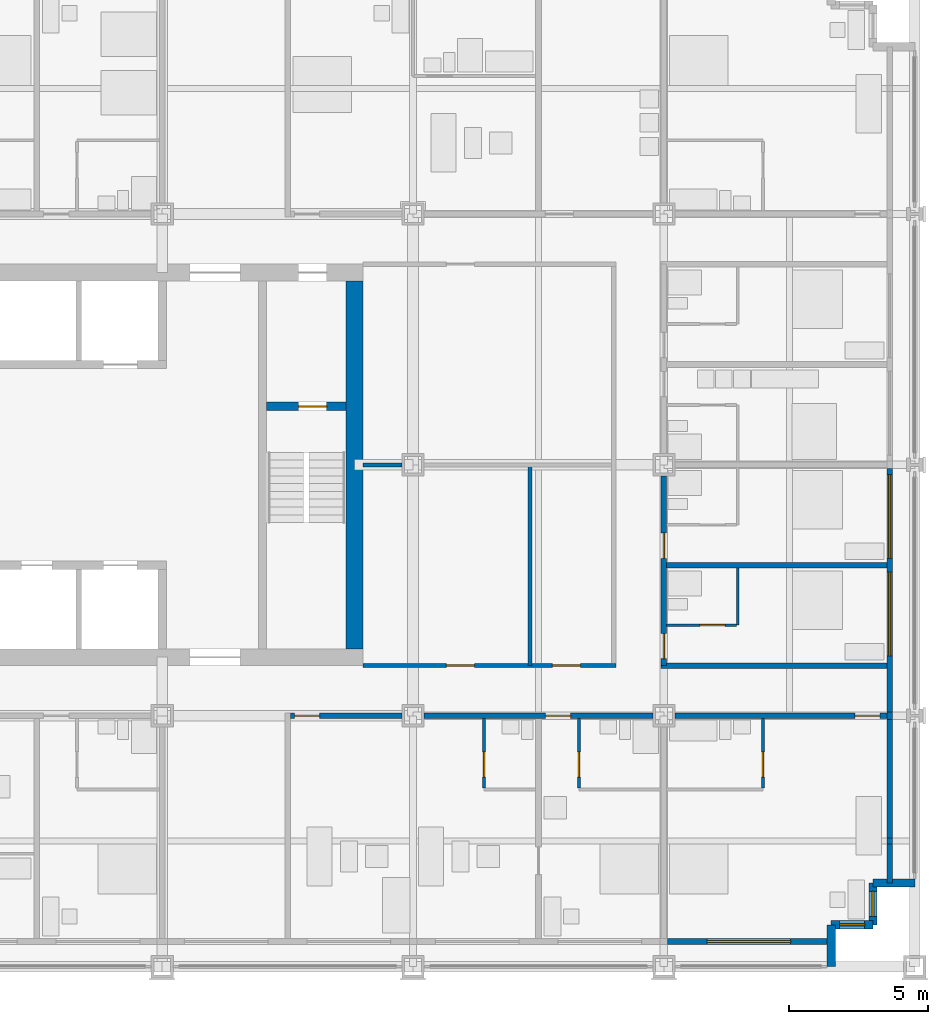
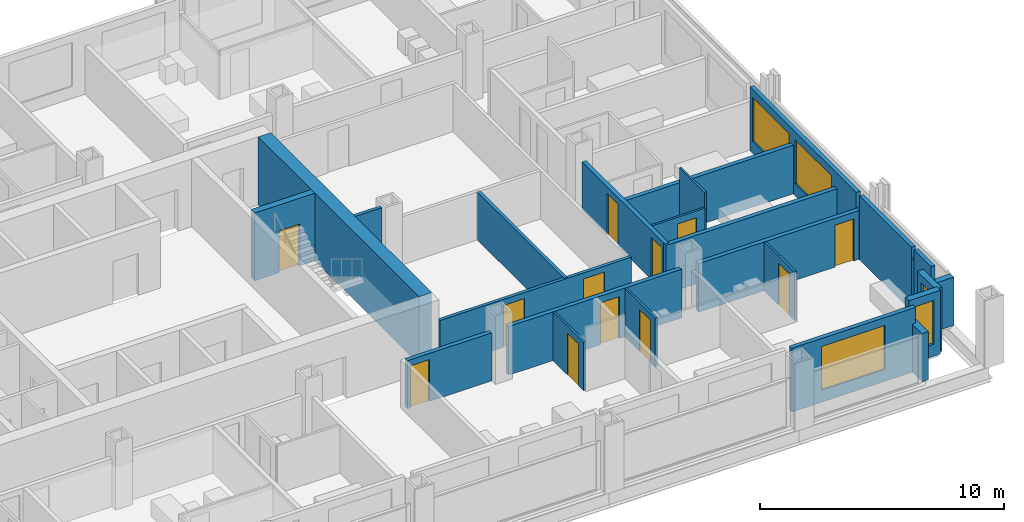
# One storey, part 13 of 18: 26 walls, 12 doors, 5 windows, 17 openings.
"""IFC4 building model written with IfcOpenShell, lengths in metres."""

from ifc_helpers import new_model, si_unit, direction, frame, frame_2d, origin, place, context, subcontext, project, spatial, rectangle, extrude, material, layer, layer_set, type_object, element, fill, save


model = new_model("IFC4")

# Units and contexts
model_context = context("Model", 3, precision=1e-05, world=origin(), true_north=direction((0.0, 1.0)))
body_context = subcontext(model_context, "Body", "Model", "MODEL_VIEW")
ifc_project = project(units=[si_unit("LENGTHUNIT", "METRE"), si_unit("AREAUNIT", "SQUARE_METRE"), si_unit("VOLUMEUNIT", "CUBIC_METRE"), si_unit("PLANEANGLEUNIT", "RADIAN"), si_unit("MASSUNIT", "GRAM", prefix="KILO")], contexts=[model_context])

# Site, building, storey
site_placement = place(None, origin())
site = spatial("IfcSite", under=ifc_project, at=site_placement, CompositionType="ELEMENT")
building_placement = place(site_placement, origin())
building = spatial("IfcBuilding", under=site, at=building_placement, Name="Loomwork Tower", CompositionType="ELEMENT")
storey_placement = place(building_placement, frame((0.0, 0.0, 51.800048828125)))
storey = spatial("IfcBuildingStorey", under=building, at=storey_placement, Name="L12", CompositionType="ELEMENT", Elevation=51.800048828125)

# Wall, opening, door
ifc_material_1 = material(Name="Concrete 14000 psi (97 MPa)", Category="concrete")
ifc_layer_1 = layer(ifc_material_1, 0.300048828125)
ifc_layer_set_1 = layer_set([ifc_layer_1], Name="Core shear wall 300")
wall_type_1 = type_object("IfcWallType", Name="Core shear wall 300", PredefinedType="SHEAR", material=ifc_layer_set_1)
wall_1_placement = place(storey_placement, frame((30.75, 20.10009765625, 0.0), z_axis=(0.0, 0.0, 1.0), x_axis=(1.0, 0.0, 0.0)))
wall_1 = element("IfcWall", 1, at=wall_1_placement, inside=storey, type_object=wall_type_1, Name="Stair B north wall L12", PredefinedType="SHEAR", context=body_context, shape_type="SweptSolid", body=[
    extrude(rectangle(XDim=2.85009765625, YDim=0.300048828125, at=frame_2d((1.425048828125, 0.0))), origin(), (0.0, 0.0, 1.0), 3.39990234375),
])
opening_1_placement = place(wall_1_placement, frame((1.14990234375, 0.0, 0.0)))
opening_1 = element("IfcOpeningElement", 2, at=opening_1_placement, cuts=wall_1, Name="Opening D4", PredefinedType="OPENING", context=body_context, shape_type="SweptSolid", body=[
    extrude(rectangle(XDim=1.0, YDim=2.10009765625, at=frame_2d((0.5, 1.050048828125))), frame((0.0, 0.159912109375, 0.0), z_axis=(0.0, -1.0, 0.0), x_axis=(1.0, 0.0, 0.0)), (0.0, 0.0, 1.0), 0.320068359375),
])
ifc_material_2 = material(Name="Hollow metal door and frame")
door_type_1 = type_object("IfcDoorType", Name="Stair door 1000", OperationType="SINGLE_SWING_RIGHT", PredefinedType="DOOR", material=ifc_material_2)
door_1_placement = place(opening_1_placement, frame((1.0, 0.0, 0.0), z_axis=(0.0, 0.0, 1.0), x_axis=(-1.0, 0.0, 0.0)))
door_1 = element("IfcDoor", 3, at=door_1_placement, inside=storey, type_object=door_type_1, Name="Stair B door", OperationType="SINGLE_SWING_LEFT", OverallHeight=2.10009765625, OverallWidth=1.0, PredefinedType="DOOR", context=body_context, shape_type="SweptSolid", body=[
    extrude(rectangle(XDim=1.0, YDim=2.10009765625, at=frame_2d((0.5, 1.050048828125))), frame((0.0, 0.02490234375, 0.0), z_axis=(0.0, -1.0, 0.0), x_axis=(1.0, 0.0, 0.0)), (0.0, 0.0, 1.0), 0.050048828125),
])
fill(opening_1, door_1)

# Wall
ifc_material_3 = material(Name="Concrete 14000 psi (97 MPa)", Category="concrete")
ifc_layer_2 = layer(ifc_material_3, 0.60009765625)
ifc_layer_set_2 = layer_set([ifc_layer_2], Name="Core shear wall 600")
wall_type_2 = type_object("IfcWallType", Name="Core shear wall 600", PredefinedType="SHEAR", material=ifc_layer_set_2)
wall_2_placement = place(storey_placement, frame((33.89990234375, 11.39990234375, 0.0), z_axis=(0.0, 0.0, 1.0), x_axis=(0.0, 1.0, 0.0)))
element("IfcWall", 4, at=wall_2_placement, inside=storey, type_object=wall_type_2, Name="Core wall east L12", PredefinedType="SHEAR", context=body_context, shape_type="SweptSolid", body=[
    extrude(rectangle(XDim=13.2001953125, YDim=0.60009765625, at=frame_2d((6.60009765625, 0.0))), origin(), (0.0, 0.0, 1.0), 3.39990234375),
])

# Wall, opening, door
ifc_material_4 = material(Name="Gypsum board on steel studs, one-hour", Category="steel")
ifc_layer_3 = layer(ifc_material_4, 0.199951171875)
ifc_layer_set_3 = layer_set([ifc_layer_3], Name="Corridor wall 200")
wall_type_3 = type_object("IfcWallType", Name="Corridor wall 200", PredefinedType="PARTITIONING", material=ifc_layer_set_3)
wall_3_placement = place(storey_placement, frame((31.60009765625, 9.0, 0.0), z_axis=(0.0, 0.0, 1.0), x_axis=(1.0, 0.0, 0.0)))
wall_3 = element("IfcWall", 5, at=wall_3_placement, inside=storey, type_object=wall_type_3, Name="South corridor wall 4", PredefinedType="PARTITIONING", context=body_context, shape_type="SweptSolid", body=[
    extrude(rectangle(XDim=4.0, YDim=0.199951171875, at=frame_2d((2.0, 0.0))), origin(), (0.0, 0.0, 1.0), 2.405029296875),
])
opening_2_placement = place(wall_3_placement, frame((0.14990234375, 0.0, 0.0)))
opening_2 = element("IfcOpeningElement", 6, at=opening_2_placement, cuts=wall_3, Name="Opening D1", PredefinedType="OPENING", context=body_context, shape_type="SweptSolid", body=[
    extrude(rectangle(XDim=0.89990234375, YDim=2.10009765625, at=frame_2d((0.449951171875, 1.050048828125))), frame((0.0, 0.10986328125, 0.0), z_axis=(0.0, -1.0, 0.0), x_axis=(1.0, 0.0, 0.0)), (0.0, 0.0, 1.0), 0.219970703125),
])
ifc_material_5 = material(Name="Hollow metal door and frame")
door_type_2 = type_object("IfcDoorType", Name="Guest room entry door 900", OperationType="SINGLE_SWING_LEFT", PredefinedType="DOOR", material=ifc_material_5)
door_2_placement = place(opening_2_placement, frame((0.89990234375, 0.0, 0.0), z_axis=(0.0, 0.0, 1.0), x_axis=(-1.0, 0.0, 0.0)))
door_2 = element("IfcDoor", 7, at=door_2_placement, inside=storey, type_object=door_type_2, Name="Guest room entry door L12 5", OperationType="SINGLE_SWING_RIGHT", OverallHeight=2.10009765625, OverallWidth=0.89990234375, PredefinedType="DOOR", context=body_context, shape_type="SweptSolid", body=[
    extrude(rectangle(XDim=0.89990234375, YDim=2.10009765625, at=frame_2d((0.449951171875, 1.050048828125))), frame((0.0, 0.02490234375, 0.0), z_axis=(0.0, -1.0, 0.0), x_axis=(1.0, 0.0, 0.0)), (0.0, 0.0, 1.0), 0.050048828125),
])
fill(opening_2, door_2)

wall_4_placement = place(storey_placement, frame((36.39990234375, 9.0, 0.0), z_axis=(0.0, 0.0, 1.0), x_axis=(1.0, 0.0, 0.0)))
wall_4 = element("IfcWall", 8, at=wall_4_placement, inside=storey, type_object=wall_type_3, Name="South corridor wall 5", PredefinedType="PARTITIONING", context=body_context, shape_type="SweptSolid", body=[
    extrude(rectangle(XDim=8.2001953125, YDim=0.199951171875, at=frame_2d((4.10009765625, 0.0))), origin(), (0.0, 0.0, 1.0), 2.43798828125),
])
opening_3_placement = place(wall_4_placement, frame((4.35009765625, 0.0, 0.0)))
opening_3 = element("IfcOpeningElement", 9, at=opening_3_placement, cuts=wall_4, Name="Opening D1", PredefinedType="OPENING", context=body_context, shape_type="SweptSolid", body=[
    extrude(rectangle(XDim=0.89990234375, YDim=2.10009765625, at=frame_2d((0.449951171875, 1.050048828125))), frame((0.0, 0.10986328125, 0.0), z_axis=(0.0, -1.0, 0.0), x_axis=(1.0, 0.0, 0.0)), (0.0, 0.0, 1.0), 0.219970703125),
])
door_3_placement = place(opening_3_placement, frame((0.89990234375, 0.0, 0.0), z_axis=(0.0, 0.0, 1.0), x_axis=(-1.0, 0.0, 0.0)))
door_3 = element("IfcDoor", 10, at=door_3_placement, inside=storey, type_object=door_type_2, Name="Guest room entry door L12 6", OperationType="SINGLE_SWING_RIGHT", OverallHeight=2.10009765625, OverallWidth=0.89990234375, PredefinedType="DOOR", context=body_context, shape_type="SweptSolid", body=[
    extrude(rectangle(XDim=0.89990234375, YDim=2.10009765625, at=frame_2d((0.449951171875, 1.050048828125))), frame((0.0, 0.02490234375, 0.0), z_axis=(0.0, -1.0, 0.0), x_axis=(1.0, 0.0, 0.0)), (0.0, 0.0, 1.0), 0.050048828125),
])
fill(opening_3, door_3)

wall_5_placement = place(storey_placement, frame((45.39990234375, 9.0, 0.0), z_axis=(0.0, 0.0, 1.0), x_axis=(1.0, 0.0, 0.0)))
wall_5 = element("IfcWall", 11, at=wall_5_placement, inside=storey, type_object=wall_type_3, Name="South corridor wall 6", PredefinedType="PARTITIONING", context=body_context, shape_type="SweptSolid", body=[
    extrude(rectangle(XDim=7.60009765625, YDim=0.199951171875, at=frame_2d((3.800048828125, 0.0))), origin(), (0.0, 0.0, 1.0), 2.43798828125),
])
opening_4_placement = place(wall_5_placement, frame((6.449951171875, 0.0, 0.0)))
opening_4 = element("IfcOpeningElement", 12, at=opening_4_placement, cuts=wall_5, Name="Opening D1", PredefinedType="OPENING", context=body_context, shape_type="SweptSolid", body=[
    extrude(rectangle(XDim=0.89990234375, YDim=2.10009765625, at=frame_2d((0.449951171875, 1.050048828125))), frame((0.0, 0.10986328125, 0.0), z_axis=(0.0, -1.0, 0.0), x_axis=(1.0, 0.0, 0.0)), (0.0, 0.0, 1.0), 0.219970703125),
])
door_4_placement = place(opening_4_placement, frame((0.89990234375, 0.0, 0.0), z_axis=(0.0, 0.0, 1.0), x_axis=(-1.0, 0.0, 0.0)))
door_4 = element("IfcDoor", 13, at=door_4_placement, inside=storey, type_object=door_type_2, Name="Guest room entry door L12 7", OperationType="SINGLE_SWING_LEFT", OverallHeight=2.10009765625, OverallWidth=0.89990234375, PredefinedType="DOOR", context=body_context, shape_type="SweptSolid", body=[
    extrude(rectangle(XDim=0.89990234375, YDim=2.10009765625, at=frame_2d((0.449951171875, 1.050048828125))), frame((0.0, 0.02490234375, 0.0), z_axis=(0.0, -1.0, 0.0), x_axis=(1.0, 0.0, 0.0)), (0.0, 0.0, 1.0), 0.050048828125),
])
fill(opening_4, door_4)

# Wall, openings, doors
wall_6_placement = place(storey_placement, frame((45.0, 10.800048828125, 0.0), z_axis=(0.0, 0.0, 1.0), x_axis=(0.0, 1.0, 0.0)))
wall_6 = element("IfcWall", 14, at=wall_6_placement, inside=storey, type_object=wall_type_3, Name="East corridor wall 1", PredefinedType="PARTITIONING", context=body_context, shape_type="SweptSolid", body=[
    extrude(rectangle(XDim=6.800048828125, YDim=0.199951171875, at=frame_2d((3.39990234375, 0.0))), origin(), (0.0, 0.0, 1.0), 2.43798828125),
])
opening_5_placement = place(wall_6_placement, frame((0.25, 0.0, 0.0)))
opening_5 = element("IfcOpeningElement", 15, at=opening_5_placement, cuts=wall_6, Name="Opening D1", PredefinedType="OPENING", context=body_context, shape_type="SweptSolid", body=[
    extrude(rectangle(XDim=0.89990234375, YDim=2.10009765625, at=frame_2d((0.449951171875, 1.050048828125))), frame((0.0, 0.10986328125, 0.0), z_axis=(0.0, -1.0, 0.0), x_axis=(1.0, 0.0, 0.0)), (0.0, 0.0, 1.0), 0.219970703125),
])
opening_6_placement = place(wall_6_placement, frame((3.85009765625, 0.0, 0.0)))
opening_6 = element("IfcOpeningElement", 16, at=opening_6_placement, cuts=wall_6, Name="Opening D1", PredefinedType="OPENING", context=body_context, shape_type="SweptSolid", body=[
    extrude(rectangle(XDim=0.89990234375, YDim=2.10009765625, at=frame_2d((0.449951171875, 1.050048828125))), frame((0.0, 0.10986328125, 0.0), z_axis=(0.0, -1.0, 0.0), x_axis=(1.0, 0.0, 0.0)), (0.0, 0.0, 1.0), 0.219970703125),
])
door_5_placement = place(opening_5_placement, frame((0.89990234375, 0.0, 0.0), z_axis=(0.0, 0.0, 1.0), x_axis=(-1.0, 0.0, 0.0)))
door_5 = element("IfcDoor", 17, at=door_5_placement, inside=storey, type_object=door_type_2, Name="Guest room entry door L12 19", OperationType="SINGLE_SWING_RIGHT", OverallHeight=2.10009765625, OverallWidth=0.89990234375, PredefinedType="DOOR", context=body_context, shape_type="SweptSolid", body=[
    extrude(rectangle(XDim=0.89990234375, YDim=2.10009765625, at=frame_2d((0.449951171875, 1.050048828125))), frame((0.0, 0.02490234375, 0.0), z_axis=(0.0, -1.0, 0.0), x_axis=(1.0, 0.0, 0.0)), (0.0, 0.0, 1.0), 0.050048828125),
])
fill(opening_5, door_5)
door_6_placement = place(opening_6_placement, frame((0.89990234375, 0.0, 0.0), z_axis=(0.0, 0.0, 1.0), x_axis=(-1.0, 0.0, 0.0)))
door_6 = element("IfcDoor", 18, at=door_6_placement, inside=storey, type_object=door_type_2, Name="Guest room entry door L12 20", OperationType="SINGLE_SWING_RIGHT", OverallHeight=2.10009765625, OverallWidth=0.89990234375, PredefinedType="DOOR", context=body_context, shape_type="SweptSolid", body=[
    extrude(rectangle(XDim=0.89990234375, YDim=2.10009765625, at=frame_2d((0.449951171875, 1.050048828125))), frame((0.0, 0.02490234375, 0.0), z_axis=(0.0, -1.0, 0.0), x_axis=(1.0, 0.0, 0.0)), (0.0, 0.0, 1.0), 0.050048828125),
])
fill(opening_6, door_6)

# Wall
wall_7_placement = place(storey_placement, frame((44.89990234375, 10.800048828125, 0.0), z_axis=(0.0, 0.0, 1.0), x_axis=(1.0, 0.0, 0.0)))
element("IfcWall", 19, at=wall_7_placement, inside=storey, type_object=wall_type_3, Name="East band end wall S", PredefinedType="PARTITIONING", context=body_context, shape_type="SweptSolid", body=[
    extrude(rectangle(XDim=8.10009765625, YDim=0.199951171875, at=frame_2d((4.050048828125, 0.0))), origin(), (0.0, 0.0, 1.0), 2.43798828125),
])

# Wall, opening, door
ifc_material_6 = material(Name="Cement board on steel studs", Category="steel")
ifc_layer_4 = layer(ifc_material_6, 0.10009765625)
ifc_layer_set_4 = layer_set([ifc_layer_4], Name="En-suite partition 100")
wall_type_4 = type_object("IfcWallType", Name="En-suite partition 100", PredefinedType="PARTITIONING", material=ifc_layer_set_4)
wall_8_placement = place(storey_placement, frame((38.550048828125, 8.89990234375, 0.0), z_axis=(0.0, 0.0, 1.0), x_axis=(0.0, -1.0, 0.0)))
wall_8 = element("IfcWall", 20, at=wall_8_placement, inside=storey, type_object=wall_type_4, Name="En-suite side wall L12 room 5", PredefinedType="PARTITIONING", context=body_context, shape_type="SweptSolid", body=[
    extrude(rectangle(XDim=2.5, YDim=0.10009765625, at=frame_2d((1.25, 0.0))), origin(), (0.0, 0.0, 1.0), 2.43798828125),
])
opening_7_placement = place(wall_8_placement, frame((1.199951171875, 0.0, 0.0)))
opening_7 = element("IfcOpeningElement", 21, at=opening_7_placement, cuts=wall_8, Name="Opening D2", PredefinedType="OPENING", context=body_context, shape_type="SweptSolid", body=[
    extrude(rectangle(XDim=0.89990234375, YDim=2.10009765625, at=frame_2d((0.449951171875, 1.050048828125))), frame((0.0, 0.06005859375, 0.0), z_axis=(0.0, -1.0, 0.0), x_axis=(1.0, 0.0, 0.0)), (0.0, 0.0, 1.0), 0.1201171875),
])
ifc_material_7 = material(Name="Hollow metal door and frame")
door_type_3 = type_object("IfcDoorType", Name="En-suite door 900", OperationType="SINGLE_SWING_LEFT", PredefinedType="DOOR", material=ifc_material_7)
door_7_placement = place(opening_7_placement, origin())
door_7 = element("IfcDoor", 22, at=door_7_placement, inside=storey, type_object=door_type_3, Name="Suite powder room door room 5", OperationType="SINGLE_SWING_RIGHT", OverallHeight=2.10009765625, OverallWidth=0.89990234375, PredefinedType="DOOR", context=body_context, shape_type="SweptSolid", body=[
    extrude(rectangle(XDim=0.89990234375, YDim=2.10009765625, at=frame_2d((0.449951171875, 1.050048828125))), frame((0.0, 0.02490234375, 0.0), z_axis=(0.0, -1.0, 0.0), x_axis=(1.0, 0.0, 0.0)), (0.0, 0.0, 1.0), 0.050048828125),
])
fill(opening_7, door_7)

wall_9_placement = place(storey_placement, frame((41.949951171875, 8.89990234375, 0.0), z_axis=(0.0, 0.0, 1.0), x_axis=(0.0, -1.0, 0.0)))
wall_9 = element("IfcWall", 23, at=wall_9_placement, inside=storey, type_object=wall_type_4, Name="En-suite side wall L12 room 6", PredefinedType="PARTITIONING", context=body_context, shape_type="SweptSolid", body=[
    extrude(rectangle(XDim=2.5, YDim=0.10009765625, at=frame_2d((1.25, 0.0))), origin(), (0.0, 0.0, 1.0), 2.43798828125),
])
opening_8_placement = place(wall_9_placement, frame((1.199951171875, 0.0, 0.0)))
opening_8 = element("IfcOpeningElement", 24, at=opening_8_placement, cuts=wall_9, Name="Opening D2", PredefinedType="OPENING", context=body_context, shape_type="SweptSolid", body=[
    extrude(rectangle(XDim=0.89990234375, YDim=2.10009765625, at=frame_2d((0.449951171875, 1.050048828125))), frame((0.0, 0.06005859375, 0.0), z_axis=(0.0, -1.0, 0.0), x_axis=(1.0, 0.0, 0.0)), (0.0, 0.0, 1.0), 0.1201171875),
])
door_8_placement = place(opening_8_placement, origin())
door_8 = element("IfcDoor", 25, at=door_8_placement, inside=storey, type_object=door_type_3, Name="En-suite door room 6", OperationType="SINGLE_SWING_RIGHT", OverallHeight=2.10009765625, OverallWidth=0.89990234375, PredefinedType="DOOR", context=body_context, shape_type="SweptSolid", body=[
    extrude(rectangle(XDim=0.89990234375, YDim=2.10009765625, at=frame_2d((0.449951171875, 1.050048828125))), frame((0.0, 0.02490234375, 0.0), z_axis=(0.0, -1.0, 0.0), x_axis=(1.0, 0.0, 0.0)), (0.0, 0.0, 1.0), 0.050048828125),
])
fill(opening_8, door_8)

wall_10_placement = place(storey_placement, frame((48.550048828125, 8.89990234375, 0.0), z_axis=(0.0, 0.0, 1.0), x_axis=(0.0, -1.0, 0.0)))
wall_10 = element("IfcWall", 26, at=wall_10_placement, inside=storey, type_object=wall_type_4, Name="En-suite side wall L12 room 7", PredefinedType="PARTITIONING", context=body_context, shape_type="SweptSolid", body=[
    extrude(rectangle(XDim=2.5, YDim=0.10009765625, at=frame_2d((1.25, 0.0))), origin(), (0.0, 0.0, 1.0), 2.43798828125),
])
opening_9_placement = place(wall_10_placement, frame((1.199951171875, 0.0, 0.0)))
opening_9 = element("IfcOpeningElement", 27, at=opening_9_placement, cuts=wall_10, Name="Opening D2", PredefinedType="OPENING", context=body_context, shape_type="SweptSolid", body=[
    extrude(rectangle(XDim=0.89990234375, YDim=2.10009765625, at=frame_2d((0.449951171875, 1.050048828125))), frame((0.0, 0.06005859375, 0.0), z_axis=(0.0, -1.0, 0.0), x_axis=(1.0, 0.0, 0.0)), (0.0, 0.0, 1.0), 0.1201171875),
])
door_9_placement = place(opening_9_placement, frame((0.89990234375, 0.0, 0.0), z_axis=(0.0, 0.0, 1.0), x_axis=(-1.0, 0.0, 0.0)))
door_9 = element("IfcDoor", 28, at=door_9_placement, inside=storey, type_object=door_type_3, Name="En-suite door room 7", OperationType="SINGLE_SWING_LEFT", OverallHeight=2.10009765625, OverallWidth=0.89990234375, PredefinedType="DOOR", context=body_context, shape_type="SweptSolid", body=[
    extrude(rectangle(XDim=0.89990234375, YDim=2.10009765625, at=frame_2d((0.449951171875, 1.050048828125))), frame((0.0, 0.02490234375, 0.0), z_axis=(0.0, -1.0, 0.0), x_axis=(1.0, 0.0, 0.0)), (0.0, 0.0, 1.0), 0.050048828125),
])
fill(opening_9, door_9)

# Wall
wall_11_placement = place(storey_placement, frame((47.64990234375, 12.25, 0.0), z_axis=(0.0, 0.0, 1.0), x_axis=(0.0, 1.0, 0.0)))
element("IfcWall", 29, at=wall_11_placement, inside=storey, type_object=wall_type_4, Name="En-suite wall L12 room 19", PredefinedType="PARTITIONING", context=body_context, shape_type="SweptSolid", body=[
    extrude(rectangle(XDim=2.050048828125, YDim=0.10009765625, at=frame_2d((1.02490234375, 0.0))), origin(), (0.0, 0.0, 1.0), 3.199951171875),
])

# Wall, opening, door
wall_12_placement = place(storey_placement, frame((45.10009765625, 12.25, 0.0), z_axis=(0.0, 0.0, 1.0), x_axis=(1.0, 0.0, 0.0)))
wall_12 = element("IfcWall", 30, at=wall_12_placement, inside=storey, type_object=wall_type_4, Name="En-suite side wall L12 room 19", PredefinedType="PARTITIONING", context=body_context, shape_type="SweptSolid", body=[
    extrude(rectangle(XDim=2.5, YDim=0.10009765625, at=frame_2d((1.25, 0.0))), origin(), (0.0, 0.0, 1.0), 2.43798828125),
])
opening_10_placement = place(wall_12_placement, frame((1.199951171875, 0.0, 0.0)))
opening_10 = element("IfcOpeningElement", 31, at=opening_10_placement, cuts=wall_12, Name="Opening D2", PredefinedType="OPENING", context=body_context, shape_type="SweptSolid", body=[
    extrude(rectangle(XDim=0.89990234375, YDim=2.10009765625, at=frame_2d((0.449951171875, 1.050048828125))), frame((0.0, 0.06005859375, 0.0), z_axis=(0.0, -1.0, 0.0), x_axis=(1.0, 0.0, 0.0)), (0.0, 0.0, 1.0), 0.1201171875),
])
door_10_placement = place(opening_10_placement, origin())
door_10 = element("IfcDoor", 32, at=door_10_placement, inside=storey, type_object=door_type_3, Name="En-suite door room 19", OperationType="SINGLE_SWING_RIGHT", OverallHeight=2.10009765625, OverallWidth=0.89990234375, PredefinedType="DOOR", context=body_context, shape_type="SweptSolid", body=[
    extrude(rectangle(XDim=0.89990234375, YDim=2.10009765625, at=frame_2d((0.449951171875, 1.050048828125))), frame((0.0, 0.02490234375, 0.0), z_axis=(0.0, -1.0, 0.0), x_axis=(1.0, 0.0, 0.0)), (0.0, 0.0, 1.0), 0.050048828125),
])
fill(opening_10, door_10)

# Walls
ifc_material_8 = material(Name="Gypsum board on steel studs, acoustic", Category="steel")
ifc_layer_5 = layer(ifc_material_8, 0.199951171875)
ifc_layer_set_5 = layer_set([ifc_layer_5], Name="Guest room party wall 200")
wall_type_5 = type_object("IfcWallType", Name="Guest room party wall 200", PredefinedType="PARTITIONING", material=ifc_layer_set_5)
wall_13_placement = place(storey_placement, frame((45.10009765625, 14.39990234375, 0.0), z_axis=(0.0, 0.0, 1.0), x_axis=(1.0, 0.0, 0.0)))
element("IfcWall", 33, at=wall_13_placement, inside=storey, type_object=wall_type_5, Name="Guest room party wall E 14.4", PredefinedType="PARTITIONING", context=body_context, shape_type="SweptSolid", body=[
    extrude(rectangle(XDim=7.89990234375, YDim=0.199951171875, at=frame_2d((3.949951171875, 0.0))), origin(), (0.0, 0.0, 1.0), 2.43798828125),
])
ifc_material_9 = material(Name="Insulated steel stud wall with gypsum lining", Category="steel")
ifc_layer_6 = layer(ifc_material_9, 0.199951171875)
ifc_layer_set_6 = layer_set([ifc_layer_6], Name="Inner skin wall 200")
wall_type_6 = type_object("IfcWallType", Name="Inner skin wall 200", PredefinedType="SOLIDWALL", material=ifc_layer_set_6)
wall_14_placement = place(storey_placement, frame((53.10009765625, 3.0, 0.0), z_axis=(0.0, 0.0, 1.0), x_axis=(0.0, 1.0, 0.0)))
element("IfcWall", 34, at=wall_14_placement, inside=storey, type_object=wall_type_6, Name="Inner skin wall E", PredefinedType="SOLIDWALL", context=body_context, shape_type="SweptSolid", body=[
    extrude(rectangle(XDim=1.392578125, YDim=0.199951171875, at=frame_2d((0.6962890625, 0.0))), origin(), (0.0, 0.0, 1.0), 3.199951171875),
])

# Wall, opening, window
wall_15_placement = place(storey_placement, frame((45.135498046875, 0.89990234375, 0.0), z_axis=(0.0, 0.0, 1.0), x_axis=(1.0, 0.0, 0.0)))
wall_15 = element("IfcWall", 35, at=wall_15_placement, inside=storey, type_object=wall_type_6, Name="Inner skin wall S bay 11", PredefinedType="SOLIDWALL", context=body_context, shape_type="SweptSolid", body=[
    extrude(rectangle(XDim=5.864501953125, YDim=0.199951171875, at=frame_2d((2.93212890625, 0.0))), origin(), (0.0, 0.0, 1.0), 3.199951171875),
])
opening_11_placement = place(wall_15_placement, frame((1.41455078125, 0.0, 0.60009765625)))
opening_11 = element("IfcOpeningElement", 36, at=opening_11_placement, cuts=wall_15, Name="Opening CH1", PredefinedType="OPENING", context=body_context, shape_type="SweptSolid", body=[
    extrude(rectangle(XDim=3.0, YDim=2.199951171875, at=frame_2d((1.5, 1.10009765625))), frame((0.0, 0.10986328125, 0.0), z_axis=(0.0, -1.0, 0.0), x_axis=(1.0, 0.0, 0.0)), (0.0, 0.0, 1.0), 0.219970703125),
])
ifc_material_10 = material(Name="Aluminium frame with clear insulated glass", Category="aluminium")
window_type_1 = type_object("IfcWindowType", Name="Chicago window 3000", PartitioningType="TRIPLE_PANEL_VERTICAL", PredefinedType="WINDOW", material=ifc_material_10)
window_1_placement = place(opening_11_placement, origin())
window_1 = element("IfcWindow", 37, at=window_1_placement, inside=storey, type_object=window_type_1, Name="Chicago window L12 bay 6", OverallHeight=2.199951171875, OverallWidth=3.0, PartitioningType="TRIPLE_PANEL_VERTICAL", PredefinedType="WINDOW", context=body_context, shape_type="SweptSolid", body=[
    extrude(rectangle(XDim=3.0, YDim=2.199951171875, at=frame_2d((1.5, 1.10009765625))), frame((0.0, 0.030029296875, 0.0), z_axis=(0.0, -1.0, 0.0), x_axis=(1.0, 0.0, 0.0)), (0.0, 0.0, 1.0), 0.06005859375),
])
fill(opening_11, window_1)

# Walls
wall_16_placement = place(storey_placement, frame((53.10009765625, 4.392578125, 0.0), z_axis=(0.0, 0.0, 1.0), x_axis=(0.0, 1.0, 0.0)))
element("IfcWall", 38, at=wall_16_placement, inside=storey, type_object=wall_type_6, Name="Inner skin wall E bay 2", PredefinedType="SOLIDWALL", context=body_context, shape_type="SweptSolid", body=[
    extrude(rectangle(XDim=0.21484375, YDim=0.199951171875, at=frame_2d((0.107421875, 0.0))), origin(), (0.0, 0.0, 1.0), 2.660888671875),
])
wall_17_placement = place(storey_placement, frame((53.10009765625, 4.607421875, 0.0), z_axis=(0.0, 0.0, 1.0), x_axis=(0.0, 1.0, 0.0)))
element("IfcWall", 39, at=wall_17_placement, inside=storey, type_object=wall_type_6, Name="Inner skin wall E bay 3", PredefinedType="SOLIDWALL", context=body_context, shape_type="SweptSolid", body=[
    extrude(rectangle(XDim=4.25732421875, YDim=0.199951171875, at=frame_2d((2.128662109375, 0.0))), origin(), (0.0, 0.0, 1.0), 3.199951171875),
])
wall_18_placement = place(storey_placement, frame((53.10009765625, 8.86474609375, 0.0), z_axis=(0.0, 0.0, 1.0), x_axis=(0.0, 1.0, 0.0)))
element("IfcWall", 40, at=wall_18_placement, inside=storey, type_object=wall_type_6, Name="Inner skin wall E bay 4", PredefinedType="SOLIDWALL", context=body_context, shape_type="SweptSolid", body=[
    extrude(rectangle(XDim=0.2705078125, YDim=0.199951171875, at=frame_2d((0.13525390625, 0.0))), origin(), (0.0, 0.0, 1.0), 2.43798828125),
])

# Wall, openings, windows
wall_19_placement = place(storey_placement, frame((53.10009765625, 9.13525390625, 0.0), z_axis=(0.0, 0.0, 1.0), x_axis=(0.0, 1.0, 0.0)))
wall_19 = element("IfcWall", 41, at=wall_19_placement, inside=storey, type_object=wall_type_6, Name="Inner skin wall E bay 5", PredefinedType="SOLIDWALL", context=body_context, shape_type="SweptSolid", body=[
    extrude(rectangle(XDim=8.729248046875, YDim=0.199951171875, at=frame_2d((4.36474609375, 0.0))), origin(), (0.0, 0.0, 1.0), 3.199951171875),
])
opening_12_placement = place(wall_19_placement, frame((2.0146484375, 0.0, 0.60009765625)))
opening_12 = element("IfcOpeningElement", 42, at=opening_12_placement, cuts=wall_19, Name="Opening CH1", PredefinedType="OPENING", context=body_context, shape_type="SweptSolid", body=[
    extrude(rectangle(XDim=3.0, YDim=2.199951171875, at=frame_2d((1.5, 1.10009765625))), frame((0.0, 0.10986328125, 0.0), z_axis=(0.0, -1.0, 0.0), x_axis=(1.0, 0.0, 0.0)), (0.0, 0.0, 1.0), 0.219970703125),
])
opening_13_placement = place(wall_19_placement, frame((5.5146484375, 0.0, 0.60009765625)))
opening_13 = element("IfcOpeningElement", 43, at=opening_13_placement, cuts=wall_19, Name="Opening CH1", PredefinedType="OPENING", context=body_context, shape_type="SweptSolid", body=[
    extrude(rectangle(XDim=3.0, YDim=2.199951171875, at=frame_2d((1.5, 1.10009765625))), frame((0.0, 0.10986328125, 0.0), z_axis=(0.0, -1.0, 0.0), x_axis=(1.0, 0.0, 0.0)), (0.0, 0.0, 1.0), 0.219970703125),
])
window_2_placement = place(opening_12_placement, origin())
window_2 = element("IfcWindow", 44, at=window_2_placement, inside=storey, type_object=window_type_1, Name="Chicago window L12 bay 15", OverallHeight=2.199951171875, OverallWidth=3.0, PartitioningType="TRIPLE_PANEL_VERTICAL", PredefinedType="WINDOW", context=body_context, shape_type="SweptSolid", body=[
    extrude(rectangle(XDim=3.0, YDim=2.199951171875, at=frame_2d((1.5, 1.10009765625))), frame((0.0, 0.030029296875, 0.0), z_axis=(0.0, -1.0, 0.0), x_axis=(1.0, 0.0, 0.0)), (0.0, 0.0, 1.0), 0.06005859375),
])
fill(opening_12, window_2)
window_3_placement = place(opening_13_placement, origin())
window_3 = element("IfcWindow", 45, at=window_3_placement, inside=storey, type_object=window_type_1, Name="Chicago window L12 bay 15", OverallHeight=2.199951171875, OverallWidth=3.0, PartitioningType="TRIPLE_PANEL_VERTICAL", PredefinedType="WINDOW", context=body_context, shape_type="SweptSolid", body=[
    extrude(rectangle(XDim=3.0, YDim=2.199951171875, at=frame_2d((1.5, 1.10009765625))), frame((0.0, 0.030029296875, 0.0), z_axis=(0.0, -1.0, 0.0), x_axis=(1.0, 0.0, 0.0)), (0.0, 0.0, 1.0), 0.06005859375),
])
fill(opening_13, window_3)

# Wall
ifc_material_11 = material(Name="Limestone on concrete masonry", Category="masonry")
ifc_layer_7 = layer(ifc_material_11, 0.300048828125)
ifc_layer_set_7 = layer_set([ifc_layer_7], Name="Limestone corner wall 300")
wall_type_7 = type_object("IfcWallType", Name="Limestone corner wall 300", PredefinedType="SOLIDWALL", material=ifc_layer_set_7)
wall_20_placement = place(storey_placement, frame((51.0, 0.0, 0.0), z_axis=(0.0, 0.0, 1.0), x_axis=(0.0, 1.0, 0.0)))
element("IfcWall", 46, at=wall_20_placement, inside=storey, type_object=wall_type_7, Name="Stone corner wall SE 1", PredefinedType="SOLIDWALL", context=body_context, shape_type="SweptSolid", body=[
    extrude(rectangle(XDim=1.5, YDim=0.300048828125, at=frame_2d((0.75, 0.0))), origin(), (0.0, 0.0, 1.0), 2.419921875),
])

# Wall, opening, window
wall_21_placement = place(storey_placement, frame((51.0, 1.5, 0.0), z_axis=(0.0, 0.0, 1.0), x_axis=(1.0, 0.0, 0.0)))
wall_21 = element("IfcWall", 47, at=wall_21_placement, inside=storey, type_object=wall_type_7, Name="Stone corner wall SE 2", PredefinedType="SOLIDWALL", context=body_context, shape_type="SweptSolid", body=[
    extrude(rectangle(XDim=1.5, YDim=0.300048828125, at=frame_2d((0.75, 0.0))), origin(), (0.0, 0.0, 1.0), 3.199951171875),
])
opening_14_placement = place(wall_21_placement, frame((0.300048828125, 0.0, 0.60009765625)))
opening_14 = element("IfcOpeningElement", 48, at=opening_14_placement, cuts=wall_21, Name="Opening CH2", PredefinedType="OPENING", context=body_context, shape_type="SweptSolid", body=[
    extrude(rectangle(XDim=0.89990234375, YDim=2.199951171875, at=frame_2d((0.449951171875, 1.10009765625))), frame((0.0, 0.159912109375, 0.0), z_axis=(0.0, -1.0, 0.0), x_axis=(1.0, 0.0, 0.0)), (0.0, 0.0, 1.0), 0.320068359375),
])
ifc_material_12 = material(Name="Aluminium frame with clear insulated glass", Category="aluminium")
window_type_2 = type_object("IfcWindowType", Name="Corner window 900", PartitioningType="SINGLE_PANEL", PredefinedType="WINDOW", material=ifc_material_12)
window_4_placement = place(opening_14_placement, origin())
window_4 = element("IfcWindow", 49, at=window_4_placement, inside=storey, type_object=window_type_2, Name="Corner window SE", OverallHeight=2.199951171875, OverallWidth=0.89990234375, PartitioningType="SINGLE_PANEL", PredefinedType="WINDOW", context=body_context, shape_type="SweptSolid", body=[
    extrude(rectangle(XDim=0.89990234375, YDim=2.199951171875, at=frame_2d((0.449951171875, 1.10009765625))), frame((0.0, 0.030029296875, 0.0), z_axis=(0.0, -1.0, 0.0), x_axis=(1.0, 0.0, 0.0)), (0.0, 0.0, 1.0), 0.06005859375),
])
fill(opening_14, window_4)

wall_22_placement = place(storey_placement, frame((52.5, 1.5, 0.0), z_axis=(0.0, 0.0, 1.0), x_axis=(0.0, 1.0, 0.0)))
wall_22 = element("IfcWall", 50, at=wall_22_placement, inside=storey, type_object=wall_type_7, Name="Stone corner wall SE 3", PredefinedType="SOLIDWALL", context=body_context, shape_type="SweptSolid", body=[
    extrude(rectangle(XDim=1.5, YDim=0.300048828125, at=frame_2d((0.75, 0.0))), origin(), (0.0, 0.0, 1.0), 3.199951171875),
])
opening_15_placement = place(wall_22_placement, frame((0.300048828125, 0.0, 0.60009765625)))
opening_15 = element("IfcOpeningElement", 51, at=opening_15_placement, cuts=wall_22, Name="Opening CH2", PredefinedType="OPENING", context=body_context, shape_type="SweptSolid", body=[
    extrude(rectangle(XDim=0.89990234375, YDim=2.199951171875, at=frame_2d((0.449951171875, 1.10009765625))), frame((0.0, 0.159912109375, 0.0), z_axis=(0.0, -1.0, 0.0), x_axis=(1.0, 0.0, 0.0)), (0.0, 0.0, 1.0), 0.320068359375),
])
window_5_placement = place(opening_15_placement, origin())
window_5 = element("IfcWindow", 52, at=window_5_placement, inside=storey, type_object=window_type_2, Name="Corner window SE", OverallHeight=2.199951171875, OverallWidth=0.89990234375, PartitioningType="SINGLE_PANEL", PredefinedType="WINDOW", context=body_context, shape_type="SweptSolid", body=[
    extrude(rectangle(XDim=0.89990234375, YDim=2.199951171875, at=frame_2d((0.449951171875, 1.10009765625))), frame((0.0, 0.030029296875, 0.0), z_axis=(0.0, -1.0, 0.0), x_axis=(1.0, 0.0, 0.0)), (0.0, 0.0, 1.0), 0.06005859375),
])
fill(opening_15, window_5)

# Wall
wall_23_placement = place(storey_placement, frame((52.5, 3.0, 0.0), z_axis=(0.0, 0.0, 1.0), x_axis=(1.0, 0.0, 0.0)))
element("IfcWall", 53, at=wall_23_placement, inside=storey, type_object=wall_type_7, Name="Stone corner wall SE 4", PredefinedType="SOLIDWALL", context=body_context, shape_type="SweptSolid", body=[
    extrude(rectangle(XDim=1.5, YDim=0.300048828125, at=frame_2d((0.75, 0.0))), origin(), (0.0, 0.0, 1.0), 2.419921875),
])

# Wall, openings, doors
ifc_material_13 = material(Name="Gypsum board on steel studs, one-hour", Category="steel")
ifc_layer_8 = layer(ifc_material_13, 0.14990234375)
ifc_layer_set_8 = layer_set([ifc_layer_8], Name="Service partition 150")
wall_type_8 = type_object("IfcWallType", Name="Service partition 150", PredefinedType="PARTITIONING", material=ifc_layer_set_8)
wall_24_placement = place(storey_placement, frame((34.199951171875, 10.800048828125, 0.0), z_axis=(0.0, 0.0, 1.0), x_axis=(1.0, 0.0, 0.0)))
wall_24 = element("IfcWall", 54, at=wall_24_placement, inside=storey, type_object=wall_type_8, Name="Service block wall S", PredefinedType="PARTITIONING", context=body_context, shape_type="SweptSolid", body=[
    extrude(rectangle(XDim=9.074951171875, YDim=0.14990234375, at=frame_2d((4.53759765625, 0.0))), origin(), (0.0, 0.0, 1.0), 2.404052734375),
])
opening_16_placement = place(wall_24_placement, frame((6.800048828125, 0.0, 0.0)))
opening_16 = element("IfcOpeningElement", 55, at=opening_16_placement, cuts=wall_24, Name="Opening D5", PredefinedType="OPENING", context=body_context, shape_type="SweptSolid", body=[
    extrude(rectangle(XDim=1.0, YDim=2.10009765625, at=frame_2d((0.5, 1.050048828125))), frame((0.0, 0.0849609375, 0.0), z_axis=(0.0, -1.0, 0.0), x_axis=(1.0, 0.0, 0.0)), (0.0, 0.0, 1.0), 0.169921875),
])
opening_17_placement = place(wall_24_placement, frame((3.0, 0.0, 0.0)))
opening_17 = element("IfcOpeningElement", 56, at=opening_17_placement, cuts=wall_24, Name="Opening D5", PredefinedType="OPENING", context=body_context, shape_type="SweptSolid", body=[
    extrude(rectangle(XDim=1.0, YDim=2.10009765625, at=frame_2d((0.5, 1.050048828125))), frame((0.0, 0.0849609375, 0.0), z_axis=(0.0, -1.0, 0.0), x_axis=(1.0, 0.0, 0.0)), (0.0, 0.0, 1.0), 0.169921875),
])
ifc_material_14 = material(Name="Hollow metal door and frame")
door_type_4 = type_object("IfcDoorType", Name="Service door 1000", OperationType="SINGLE_SWING_LEFT", PredefinedType="DOOR", material=ifc_material_14)
door_11_placement = place(opening_16_placement, origin())
door_11 = element("IfcDoor", 57, at=door_11_placement, inside=storey, type_object=door_type_4, Name="Housekeeping staff room door", OperationType="SINGLE_SWING_LEFT", OverallHeight=2.10009765625, OverallWidth=1.0, PredefinedType="DOOR", context=body_context, shape_type="SweptSolid", body=[
    extrude(rectangle(XDim=1.0, YDim=2.10009765625, at=frame_2d((0.5, 1.050048828125))), frame((0.0, 0.02490234375, 0.0), z_axis=(0.0, -1.0, 0.0), x_axis=(1.0, 0.0, 0.0)), (0.0, 0.0, 1.0), 0.050048828125),
])
fill(opening_16, door_11)
door_12_placement = place(opening_17_placement, origin())
door_12 = element("IfcDoor", 58, at=door_12_placement, inside=storey, type_object=door_type_4, Name="Housekeeping store door", OperationType="SINGLE_SWING_RIGHT", OverallHeight=2.10009765625, OverallWidth=1.0, PredefinedType="DOOR", context=body_context, shape_type="SweptSolid", body=[
    extrude(rectangle(XDim=1.0, YDim=2.10009765625, at=frame_2d((0.5, 1.050048828125))), frame((0.0, 0.02490234375, 0.0), z_axis=(0.0, -1.0, 0.0), x_axis=(1.0, 0.0, 0.0)), (0.0, 0.0, 1.0), 0.050048828125),
])
fill(opening_17, door_12)

# Walls
wall_25_placement = place(storey_placement, frame((34.199951171875, 18.0, 0.0), z_axis=(0.0, 0.0, 1.0), x_axis=(1.0, 0.0, 0.0)))
element("IfcWall", 59, at=wall_25_placement, inside=storey, type_object=wall_type_8, Name="Service block divider", PredefinedType="PARTITIONING", context=body_context, shape_type="SweptSolid", body=[
    extrude(rectangle(XDim=1.400146484375, YDim=0.14990234375, at=frame_2d((0.7001953125, 0.0))), origin(), (0.0, 0.0, 1.0), 3.199951171875),
])
wall_26_placement = place(storey_placement, frame((40.199951171875, 10.800048828125, 0.0), z_axis=(0.0, 0.0, 1.0), x_axis=(0.0, 1.0, 0.0)))
element("IfcWall", 60, at=wall_26_placement, inside=storey, type_object=wall_type_8, Name="Housekeeping partition L12", PredefinedType="PARTITIONING", context=body_context, shape_type="SweptSolid", body=[
    extrude(rectangle(XDim=7.199951171875, YDim=0.14990234375, at=frame_2d((3.60009765625, 0.0))), origin(), (0.0, 0.0, 1.0), 2.404052734375),
])

save(model, "model.ifc")
